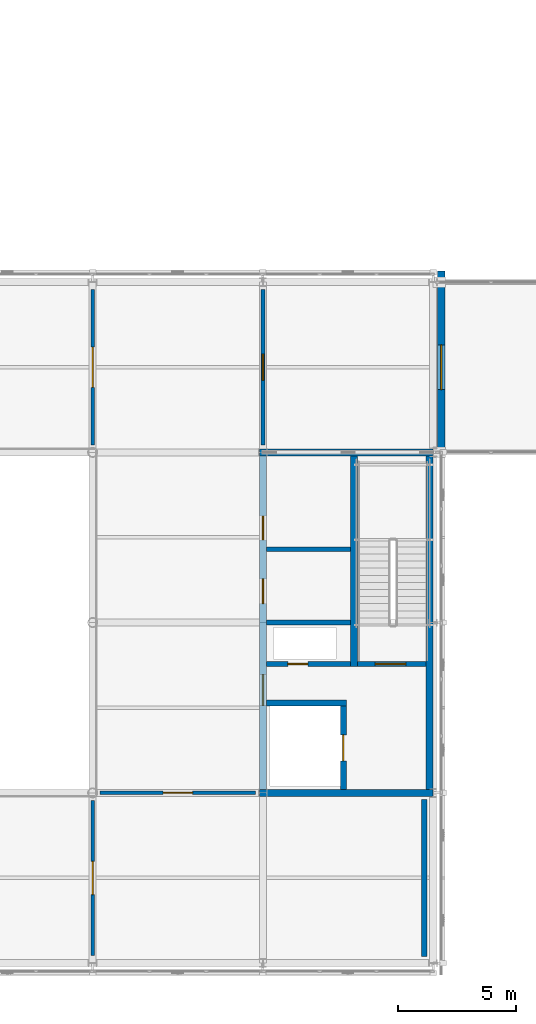
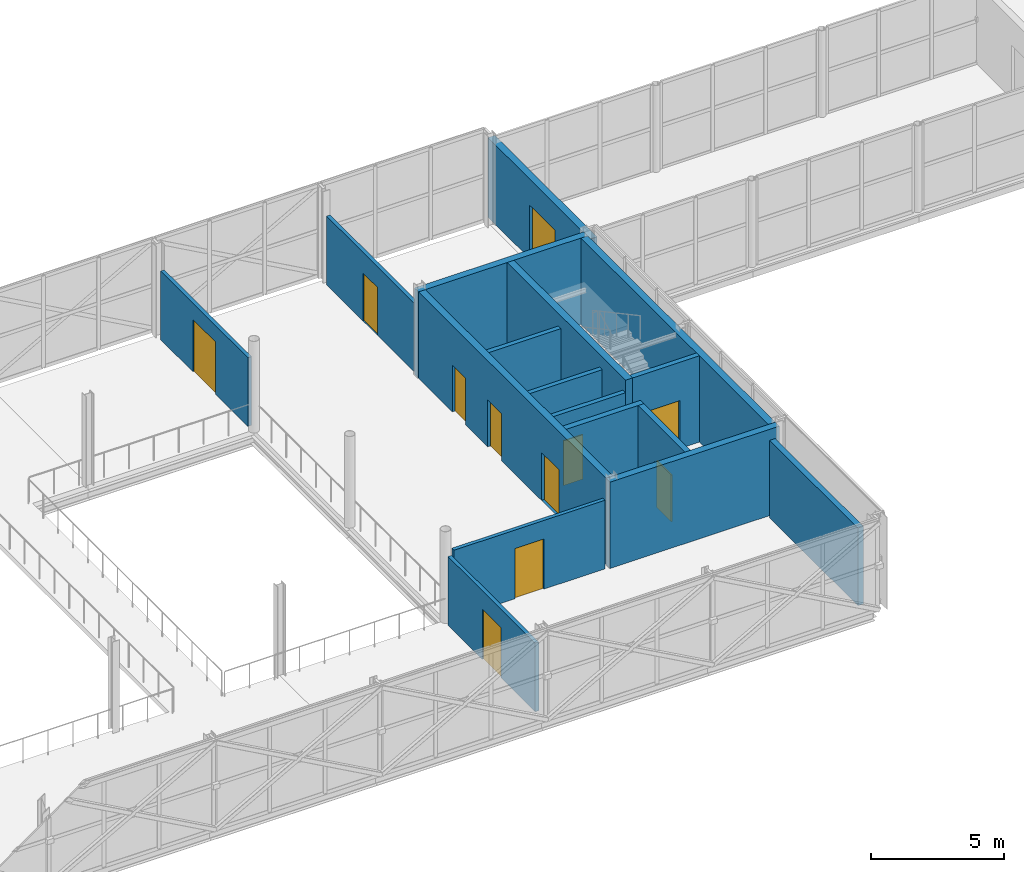
# One storey, part 104 of 126: 17 walls, 11 doors, 11 openings.
"""IFC4 building model written with IfcOpenShell, lengths in metres."""

import ifcopenshell
import ifcopenshell.guid

model = None  # the IFC model being written
_history = None  # IfcOwnerHistory: only IFC2X3 demands one
_inside = {}  # id of a spatial element -> (the spatial element, [elements in it])
_under = {}  # id of a project, library or spatial element -> (it, [spatial elements below it])
_declared = {}  # id of a project -> (the project, [libraries it declares])
_typed = {}  # id of a type object -> (the type object, [elements of that type])
_made_of = {}  # id of a material, layer set ... -> (it, [elements and type objects made of it])


def new_model(schema):
    """Start an empty IFC model of exactly this schema.

    Asked for "IFC4X3", IfcOpenShell would pick the latest addendum, in which some entities
    have other attributes; the version numbers below select the first issue.
    IFC2X3 requires an IfcOwnerHistory on every rooted entity: one is made here for all.
    """
    global model, _history
    if schema == "IFC4X3":
        model = ifcopenshell.file(schema_version=(4, 3, 0, 0))
    else:
        model = ifcopenshell.file(schema=schema)
    _inside.clear()
    _under.clear()
    _declared.clear()
    _typed.clear()
    _made_of.clear()
    _history = None
    if model.schema == "IFC2X3":
        org = make("IfcOrganization", Name="unknown")
        user = make(
            "IfcPersonAndOrganization",
            ThePerson=make("IfcPerson", FamilyName="unknown"),
            TheOrganization=org,
        )
        app = make(
            "IfcApplication",
            ApplicationDeveloper=org,
            Version="unknown",
            ApplicationFullName="unknown",
            ApplicationIdentifier="unknown",
        )
        _history = make(
            "IfcOwnerHistory",
            OwningUser=user,
            OwningApplication=app,
            ChangeAction="ADDED",
            CreationDate=0,
        )
    return model


def make(cls, **values):
    """One entity of the class cls with the attributes given. An attribute that is None is left unset."""
    return model.create_entity(
        cls, **{name: value for name, value in values.items() if value is not None}
    )


def rooted(cls, **values):
    """An entity with a GlobalId (a new one), such as an element, a storey or a relation."""
    return make(cls, GlobalId=ifcopenshell.guid.new(), OwnerHistory=_history, **values)


def si_unit(unit_type, name, prefix=None):
    """IfcSIUnit, for example si_unit("LENGTHUNIT", "METRE", prefix="MILLI")."""
    return make("IfcSIUnit", UnitType=unit_type, Prefix=prefix, Name=name)


def assignment(units):
    """IfcUnitAssignment: the units of a project."""
    return None if units is None else make("IfcUnitAssignment", Units=units)


def point(xyz):
    """IfcCartesianPoint."""
    return None if xyz is None else make("IfcCartesianPoint", Coordinates=xyz)


def direction(xyz):
    """IfcDirection."""
    return None if xyz is None else make("IfcDirection", DirectionRatios=xyz)


def frame(location, z_axis=None, x_axis=None):
    """IfcAxis2Placement3D, a coordinate frame: its origin and axes. An axis left out is left unset."""
    return make(
        "IfcAxis2Placement3D",
        Location=point(location),
        Axis=direction(z_axis),
        RefDirection=direction(x_axis),
    )


def frame_2d(location, x_axis=None):
    """IfcAxis2Placement2D, a coordinate frame in the plane: its origin and x axis."""
    return make(
        "IfcAxis2Placement2D", Location=point(location), RefDirection=direction(x_axis)
    )


def origin():
    """The frame at (0, 0, 0) with its axes left unset."""
    return frame((0.0, 0.0, 0.0))


def place(relative_to, where):
    """IfcLocalPlacement: puts the frame where relative to a parent placement (None: the world)."""
    return make(
        "IfcLocalPlacement", PlacementRelTo=relative_to, RelativePlacement=where
    )


def context(
    kind, dimensions, precision=None, world=None, true_north=None, identifier=None
):
    """IfcGeometricRepresentationContext, for example the 3D "Model" context."""
    return make(
        "IfcGeometricRepresentationContext",
        ContextIdentifier=identifier,
        ContextType=kind,
        CoordinateSpaceDimension=dimensions,
        Precision=precision,
        WorldCoordinateSystem=world,
        TrueNorth=true_north,
    )


def subcontext(parent, identifier, kind, view, scale=None):
    """IfcGeometricRepresentationSubContext, for example "Body" below "Model"."""
    return make(
        "IfcGeometricRepresentationSubContext",
        ContextIdentifier=identifier,
        ContextType=kind,
        ParentContext=parent,
        TargetScale=scale,
        TargetView=view,
    )


def project(units=None, contexts=None):
    """IfcProject with its units and contexts."""
    return rooted(
        "IfcProject",
        Name="project",
        RepresentationContexts=contexts,
        UnitsInContext=assignment(units),
    )


def spatial(cls, under=None, at=None, **own):
    """A site, building, storey or space (cls), placed at a placement, below another one or the project."""
    s = rooted(cls, ObjectPlacement=at, **own)
    if under is not None:
        _under.setdefault(under.id(), (under, []))[1].append(s)
    return s


def profile(cls, at=None, kind="AREA", **sizes):
    """A parametric profile (cls). Its sizes go by their IFC names, for example OverallWidth=200.0."""
    return make(cls, ProfileType=kind, Position=at, **sizes)


def rectangle(**sizes):
    """IfcRectangleProfileDef."""
    return profile("IfcRectangleProfileDef", **sizes)


def extrude(swept, where, along, depth):
    """IfcExtrudedAreaSolid: the profile swept, set in the frame where, extruded along a direction by depth."""
    return make(
        "IfcExtrudedAreaSolid",
        SweptArea=swept,
        Position=where,
        ExtrudedDirection=direction(along),
        Depth=depth,
    )


def shape(context_of_items, identifier, shape_type, items):
    """IfcShapeRepresentation: the items that make up one representation, for example the "Body"."""
    return make(
        "IfcShapeRepresentation",
        ContextOfItems=context_of_items,
        RepresentationIdentifier=identifier,
        RepresentationType=shape_type,
        Items=items,
    )


def material(Name=None, Category=None):
    """IfcMaterial."""
    return make("IfcMaterial", Name=Name, Category=Category)


def layer(
    of_material, thickness, ventilated=None, Name=None, Category=None, Priority=None
):
    """IfcMaterialLayer: one layer of a wall or slab, of a material (None: an air gap)."""
    return make(
        "IfcMaterialLayer",
        Material=of_material,
        LayerThickness=thickness,
        IsVentilated=ventilated,
        Name=Name,
        Category=Category,
        Priority=Priority,
    )


def layer_set(layers, Name=None):
    """IfcMaterialLayerSet."""
    return make("IfcMaterialLayerSet", MaterialLayers=layers, LayerSetName=Name)


def made_of(thing, what):
    """Note that an element or type object is made of a material, layer set ...; save() writes the relation."""
    if what is not None:
        _made_of.setdefault(what.id(), (what, []))[1].append(thing)
    return thing


def type_object(cls, material=None, **own):
    """A type object (cls), such as IfcWallType, which elements share."""
    return made_of(rooted(cls, **own), material)


def element(
    cls,
    number,
    at=None,
    inside=None,
    cuts=None,
    type_object=None,
    material=None,
    context=None,
    identifier="Body",
    shape_type=None,
    held_by="IfcProductDefinitionShape",
    body=None,
    shapes=None,
    **own,
):
    """One element of the class cls, such as IfcWall. Its Tag is "e" and its number.

    at: its placement. inside: the storey or other place that contains it. cuts: it is an
    opening in that element (IfcRelVoidsElement). A single representation is given by context,
    identifier, shape_type and body (its items); several are given by shapes. held_by: the class
    of the entity that holds the representations. save() writes the other relations.
    """
    e = rooted(cls, Tag="e%d" % number, ObjectPlacement=at, **own)
    if body is not None:
        shapes = [shape(context, identifier, shape_type, body)]
    if shapes is not None:
        e.Representation = make(held_by, Representations=shapes)
    if inside is not None:
        _inside.setdefault(inside.id(), (inside, []))[1].append(e)
    if cuts is not None:
        rooted(
            "IfcRelVoidsElement", RelatingBuildingElement=cuts, RelatedOpeningElement=e
        )
    if type_object is not None:
        _typed.setdefault(type_object.id(), (type_object, []))[1].append(e)
    return made_of(e, material)


def fill(opening, filler):
    """IfcRelFillsElement: the door or window that sits in an opening."""
    return rooted(
        "IfcRelFillsElement",
        RelatingOpeningElement=opening,
        RelatedBuildingElement=filler,
    )


def aggregate(whole, parts):
    """IfcRelAggregates: a whole, such as a stair, and the parts it consists of."""
    return rooted("IfcRelAggregates", RelatingObject=whole, RelatedObjects=parts)


def save(model, path):
    """Write the relations noted so far, then the file.

    IfcRelAggregates (storeys below a building ...), IfcRelContainedInSpatialStructure (elements
    in a storey), IfcRelDefinesByType, IfcRelAssociatesMaterial and IfcRelDeclares: one each for
    every whole, place, type object, material and project.
    """
    for whole, parts in _under.values():
        aggregate(whole, parts)
    for where, things in _inside.values():
        rooted(
            "IfcRelContainedInSpatialStructure",
            RelatedElements=things,
            RelatingStructure=where,
        )
    for kind, things in _typed.values():
        rooted("IfcRelDefinesByType", RelatedObjects=things, RelatingType=kind)
    for what, things in _made_of.values():
        rooted("IfcRelAssociatesMaterial", RelatedObjects=things, RelatingMaterial=what)
    for by, libraries in _declared.values():
        rooted("IfcRelDeclares", RelatingContext=by, RelatedDefinitions=libraries)
    model.write(path)


model = new_model("IFC4")

# Units and contexts
model_context = context("Model", 3, precision=1e-05, world=origin(), true_north=direction((0.0, 1.0)))
body_context = subcontext(model_context, "Body", "Model", "MODEL_VIEW")
ifc_project = project(units=[si_unit("LENGTHUNIT", "METRE"), si_unit("AREAUNIT", "SQUARE_METRE"), si_unit("VOLUMEUNIT", "CUBIC_METRE"), si_unit("PLANEANGLEUNIT", "RADIAN"), si_unit("MASSUNIT", "GRAM", prefix="KILO")], contexts=[model_context])

# Site, building, storey
site_placement = place(None, origin())
site = spatial("IfcSite", under=ifc_project, at=site_placement, CompositionType="ELEMENT")
building_placement = place(site_placement, origin())
building = spatial("IfcBuilding", under=site, at=building_placement, Name="Zlatovets Crest Museum", CompositionType="ELEMENT")
storey_placement = place(building_placement, frame((0.0, 0.0, 8.699951171875)))
storey = spatial("IfcBuildingStorey", under=building, at=storey_placement, Name="L02", CompositionType="ELEMENT", Elevation=8.699951171875)

# Walls
ifc_material_1 = material(Name="Concrete C35/45", Category="concrete")
ifc_layer_1 = layer(ifc_material_1, 0.300048828125)
ifc_layer_set_1 = layer_set([ifc_layer_1], Name="Concrete C35/45")
wall_type_1 = type_object("IfcWallType", Name="CoreWall_SW01", PredefinedType="SHEAR", material=ifc_layer_set_1)
for number, where, z_axis, x_axis, name in (
    (1, (100.64990234375, 7.199951171875, 0.0), (0.0, 0.0, 1.0), (1.0, 0.0, 0.0), "Core C8 L02 South Shear Wall"),
    (2, (100.64990234375, 21.60009765625, 0.0), (0.0, 0.0, 1.0), (1.0, 0.0, 0.0), "Core C8 L02 North Shear Wall"),
):
    element("IfcWall", number, at=place(storey_placement, frame(where, z_axis=z_axis, x_axis=x_axis)), inside=storey, type_object=wall_type_1, Name=name, PredefinedType="SHEAR", context=body_context, shape_type="SweptSolid", body=[
        extrude(rectangle(XDim=7.35009765625, YDim=0.300048828125, at=frame_2d((3.675048828125, 0.0))), origin(), (0.0, 0.0, 1.0), 3.9599609375),
    ])
wall_1_placement = place(storey_placement, frame((107.85009765625, 7.35009765625, 0.0), z_axis=(0.0, 0.0, 1.0), x_axis=(0.0, 1.0, 0.0)))
element("IfcWall", 3, at=wall_1_placement, inside=storey, type_object=wall_type_1, Name="Core C8 L02 Perimeter Shear Wall", PredefinedType="SHEAR", context=body_context, shape_type="SweptSolid", body=[
    extrude(rectangle(XDim=14.099853515625, YDim=0.300048828125, at=frame_2d((7.0498046875, 0.0))), origin(), (0.0, 0.0, 1.0), 3.9599609375),
])

# Wall, openings, doors
wall_2_placement = place(storey_placement, frame((100.800048828125, 7.35009765625, 0.0), z_axis=(0.0, 0.0, 1.0), x_axis=(0.0, 1.0, 0.0)))
wall_2 = element("IfcWall", 4, at=wall_2_placement, inside=storey, type_object=wall_type_1, Name="Core C8 L02 Spine Shear Wall", PredefinedType="SHEAR", context=body_context, shape_type="SweptSolid", body=[
    extrude(rectangle(XDim=14.099853515625, YDim=0.300048828125, at=frame_2d((7.0498046875, 0.0))), origin(), (0.0, 0.0, 1.0), 3.9599609375),
])
opening_1_placement = place(wall_2_placement, frame((3.550048828125, 0.0, 0.0)))
opening_1 = element("IfcOpeningElement", 5, at=opening_1_placement, cuts=wall_2, Name="Opening FD-01", PredefinedType="OPENING", context=body_context, shape_type="SweptSolid", body=[
    extrude(rectangle(XDim=1.300048828125, YDim=2.199951171875, at=frame_2d((0.64990234375, 1.10009765625))), frame((0.0, 0.16015625, 0.0), z_axis=(0.0, -1.0, 0.0), x_axis=(1.0, 0.0, 0.0)), (0.0, 0.0, 1.0), 0.320068359375),
])
opening_2_placement = place(wall_2_placement, frame((7.85009765625, 0.0, 0.0)))
opening_2 = element("IfcOpeningElement", 6, at=opening_2_placement, cuts=wall_2, Name="Opening ID-02", PredefinedType="OPENING", context=body_context, shape_type="SweptSolid", body=[
    extrude(rectangle(XDim=1.050048828125, YDim=2.14990234375, at=frame_2d((0.52490234375, 1.074951171875))), frame((0.0, 0.16015625, 0.0), z_axis=(0.0, -1.0, 0.0), x_axis=(1.0, 0.0, 0.0)), (0.0, 0.0, 1.0), 0.320068359375),
])
opening_3_placement = place(wall_2_placement, frame((10.550048828125, 0.0, 0.0)))
opening_3 = element("IfcOpeningElement", 7, at=opening_3_placement, cuts=wall_2, Name="Opening ID-01", PredefinedType="OPENING", context=body_context, shape_type="SweptSolid", body=[
    extrude(rectangle(XDim=1.0, YDim=2.14990234375, at=frame_2d((0.5, 1.074951171875))), frame((0.0, 0.16015625, 0.0), z_axis=(0.0, -1.0, 0.0), x_axis=(1.0, 0.0, 0.0)), (0.0, 0.0, 1.0), 0.320068359375),
])
ifc_material_2 = material(Name="Smoke-sealed steel fire door", Category="steel")
door_type_1 = type_object("IfcDoorType", Name="IntDoor_FD-01", OperationType="NOTDEFINED", PredefinedType="DOOR", material=ifc_material_2)
door_1_placement = place(opening_1_placement, origin())
door_1 = element("IfcDoor", 8, at=door_1_placement, inside=storey, type_object=door_type_1, Name="CDOOR-C8-L02-LOB Core C8 L02 Lobby Fire Door", OperationType="SINGLE_SWING_RIGHT", OverallHeight=2.199951171875, OverallWidth=1.300048828125, PredefinedType="DOOR", context=body_context, shape_type="SweptSolid", body=[
    extrude(rectangle(XDim=1.300048828125, YDim=2.199951171875, at=frame_2d((0.64990234375, 1.10009765625))), frame((0.0, 0.02490234375, 0.0), z_axis=(0.0, -1.0, 0.0), x_axis=(1.0, 0.0, 0.0)), (0.0, 0.0, 1.0), 0.050048828125),
])
fill(opening_1, door_1)
ifc_material_3 = material(Name="Solid oak museum room door")
door_type_2 = type_object("IfcDoorType", Name="IntDoor_ID-01", OperationType="NOTDEFINED", PredefinedType="DOOR", material=ifc_material_3)
door_2_placement = place(opening_3_placement, origin())
door_2 = element("IfcDoor", 9, at=door_2_placement, inside=storey, type_object=door_type_2, Name="CDOOR-C8-L02-WC Core C8 L02 Public Restroom Door", OperationType="SINGLE_SWING_RIGHT", OverallHeight=2.14990234375, OverallWidth=1.0, PredefinedType="DOOR", context=body_context, shape_type="SweptSolid", body=[
    extrude(rectangle(XDim=1.0, YDim=2.14990234375, at=frame_2d((0.5, 1.074951171875))), frame((0.0, 0.02490234375, 0.0), z_axis=(0.0, -1.0, 0.0), x_axis=(1.0, 0.0, 0.0)), (0.0, 0.0, 1.0), 0.050048828125),
])
fill(opening_3, door_2)
ifc_material_4 = material(Name="Accessible sanitary room door")
door_type_3 = type_object("IfcDoorType", Name="IntDoor_ID-02", OperationType="NOTDEFINED", PredefinedType="DOOR", material=ifc_material_4)
door_3_placement = place(opening_2_placement, origin())
door_3 = element("IfcDoor", 10, at=door_3_placement, inside=storey, type_object=door_type_3, Name="CDOOR-C8-L02-AWC Core C8 L02 Accessible WC Door", OperationType="SINGLE_SWING_LEFT", OverallHeight=2.14990234375, OverallWidth=1.050048828125, PredefinedType="DOOR", context=body_context, shape_type="SweptSolid", body=[
    extrude(rectangle(XDim=1.050048828125, YDim=2.14990234375, at=frame_2d((0.52490234375, 1.074951171875))), frame((0.0, 0.02490234375, 0.0), z_axis=(0.0, -1.0, 0.0), x_axis=(1.0, 0.0, 0.0)), (0.0, 0.0, 1.0), 0.050048828125),
])
fill(opening_2, door_3)

# Wall
wall_3_placement = place(storey_placement, frame((104.64990234375, 12.5400390625, 0.0), z_axis=(0.0, 0.0, 1.0), x_axis=(0.0, 1.0, 0.0)))
element("IfcWall", 11, at=wall_3_placement, inside=storey, type_object=wall_type_1, Name="Core C8 L02 Stair Divider Wall", PredefinedType="SHEAR", context=body_context, shape_type="SweptSolid", body=[
    extrude(rectangle(XDim=8.909912109375, YDim=0.300048828125, at=frame_2d((4.455078125, 0.0))), origin(), (0.0, 0.0, 1.0), 3.9599609375),
])

# Wall, opening, door
ifc_layer_2 = layer(ifc_material_1, 0.25)
ifc_layer_set_2 = layer_set([ifc_layer_2], Name="Concrete C35/45")
wall_type_2 = type_object("IfcWallType", Name="CoreWall_SW02", PredefinedType="SHEAR", material=ifc_layer_set_2)
wall_4_placement = place(storey_placement, frame((104.199951171875, 7.35009765625, 0.0), z_axis=(0.0, 0.0, 1.0), x_axis=(0.0, 1.0, 0.0)))
wall_4 = element("IfcWall", 12, at=wall_4_placement, inside=storey, type_object=wall_type_2, Name="Core C8 L02 Lift Shaft Wall", PredefinedType="SHEAR", context=body_context, shape_type="SweptSolid", body=[
    extrude(rectangle(XDim=3.52490234375, YDim=0.25, at=frame_2d((1.762451171875, 0.0))), origin(), (0.0, 0.0, 1.0), 3.9599609375),
])
opening_4_placement = place(wall_4_placement, frame((1.199951171875, 0.0, 0.0)))
opening_4 = element("IfcOpeningElement", 13, at=opening_4_placement, cuts=wall_4, Name="Opening LD-01", PredefinedType="OPENING", context=body_context, shape_type="SweptSolid", body=[
    extrude(rectangle(XDim=1.10009765625, YDim=2.14990234375, at=frame_2d((0.550048828125, 1.074951171875))), frame((0.0, 0.135009765625, 0.0), z_axis=(0.0, -1.0, 0.0), x_axis=(1.0, 0.0, 0.0)), (0.0, 0.0, 1.0), 0.27001953125),
])
ifc_material_5 = material(Name="Stainless-bronze sliding lift landing door")
door_type_4 = type_object("IfcDoorType", Name="IntDoor_LD-01", OperationType="SLIDING_TO_LEFT", PredefinedType="DOOR", material=ifc_material_5)
door_4_placement = place(opening_4_placement, origin())
door_4 = element("IfcDoor", 14, at=door_4_placement, inside=storey, type_object=door_type_4, Name="LDOOR-PL5-L02 Lift PL5 L02 Sliding Landing Door", OperationType="SLIDING_TO_LEFT", OverallHeight=2.14990234375, OverallWidth=1.10009765625, PredefinedType="DOOR", context=body_context, shape_type="SweptSolid", body=[
    extrude(rectangle(XDim=1.10009765625, YDim=2.14990234375, at=frame_2d((0.550048828125, 1.074951171875))), frame((0.0, 0.02490234375, 0.0), z_axis=(0.0, -1.0, 0.0), x_axis=(1.0, 0.0, 0.0)), (0.0, 0.0, 1.0), 0.050048828125),
])
fill(opening_4, door_4)

wall_5_placement = place(storey_placement, frame((104.800048828125, 12.64990234375, 0.0), z_axis=(0.0, 0.0, 1.0), x_axis=(1.0, 0.0, 0.0)))
wall_5 = element("IfcWall", 15, at=wall_5_placement, inside=storey, type_object=wall_type_2, Name="Core C8 L02 Stairwell Fire Wall", PredefinedType="SHEAR", context=body_context, shape_type="SweptSolid", body=[
    extrude(rectangle(XDim=2.89990234375, YDim=0.219970703125, at=frame_2d((1.449951171875, 0.0))), origin(), (0.0, 0.0, 1.0), 3.9599609375),
])
opening_5_placement = place(wall_5_placement, frame((0.75, 0.0, 0.0)))
opening_5 = element("IfcOpeningElement", 16, at=opening_5_placement, cuts=wall_5, Name="Opening FD-01", PredefinedType="OPENING", context=body_context, shape_type="SweptSolid", body=[
    extrude(rectangle(XDim=1.300048828125, YDim=2.199951171875, at=frame_2d((0.64990234375, 1.10009765625))), frame((0.0, 0.1201171875, 0.0), z_axis=(0.0, -1.0, 0.0), x_axis=(1.0, 0.0, 0.0)), (0.0, 0.0, 1.0), 0.239990234375),
])
door_5_placement = place(opening_5_placement, origin())
door_5 = element("IfcDoor", 17, at=door_5_placement, inside=storey, type_object=door_type_1, Name="SDOOR-ST9-L02 Stair ST9 L02 Fire Door", OperationType="SINGLE_SWING_LEFT", OverallHeight=2.199951171875, OverallWidth=1.300048828125, PredefinedType="DOOR", context=body_context, shape_type="SweptSolid", body=[
    extrude(rectangle(XDim=1.300048828125, YDim=2.199951171875, at=frame_2d((0.64990234375, 1.10009765625))), frame((0.0, 0.02490234375, 0.0), z_axis=(0.0, -1.0, 0.0), x_axis=(1.0, 0.0, 0.0)), (0.0, 0.0, 1.0), 0.050048828125),
])
fill(opening_5, door_5)

# Walls
wall_6_placement = place(storey_placement, frame((100.949951171875, 11.0, 0.0), z_axis=(0.0, 0.0, 1.0), x_axis=(1.0, 0.0, 0.0)))
element("IfcWall", 18, at=wall_6_placement, inside=storey, type_object=wall_type_2, Name="Core C8 L02 Lift Shaft North Shear Wall", PredefinedType="SHEAR", context=body_context, shape_type="SweptSolid", body=[
    extrude(rectangle(XDim=3.375, YDim=0.25, at=frame_2d((1.6875, 0.0))), origin(), (0.0, 0.0, 1.0), 3.9599609375),
])
ifc_material_6 = material(Name="Insulated gallery conservation liner wall", Category="concrete")
ifc_layer_3 = layer(ifc_material_6, 0.300048828125)
ifc_layer_set_3 = layer_set([ifc_layer_3], Name="Insulated gallery conservation liner wall")
wall_type_3 = type_object("IfcWallType", Name="ExtWall_EW-02", PredefinedType="STANDARD", material=ifc_layer_set_3)
wall_7_placement = place(storey_placement, frame((107.6201171875, 0.280029296875, 0.0), z_axis=(0.0, 0.0, 1.0), x_axis=(0.0, 1.0, 0.0)))
element("IfcWall", 19, at=wall_7_placement, inside=storey, type_object=wall_type_3, Name="V2 L02 Interior Conservation Gallery Liner Wall", PredefinedType="STANDARD", context=body_context, shape_type="SweptSolid", body=[
    extrude(rectangle(XDim=6.639892578125, YDim=0.239990234375, at=frame_2d((3.31982421875, 0.0))), origin(), (0.0, 0.0, 1.0), 3.56005859375),
])

# Wall, opening, door
wall_8_placement = place(storey_placement, frame((108.340087890625, 21.60009765625, 0.0), z_axis=(0.0, 0.0, 1.0), x_axis=(0.0, 1.0, 0.0)))
wall_8 = element("IfcWall", 20, at=wall_8_placement, inside=storey, type_object=wall_type_3, Name="V2 L02 Bridge Portal Wall", PredefinedType="STANDARD", context=body_context, shape_type="SweptSolid", body=[
    extrude(rectangle(XDim=7.679931640625, YDim=0.300048828125, at=frame_2d((3.83984375, 0.0))), origin(), (0.0, 0.0, 1.0), 3.650146484375),
])
opening_6_placement = place(wall_8_placement, frame((2.64990234375, 0.0, 0.0)))
opening_6 = element("IfcOpeningElement", 21, at=opening_6_placement, cuts=wall_8, Name="Opening ED-02", PredefinedType="OPENING", context=body_context, shape_type="SweptSolid", body=[
    extrude(rectangle(XDim=1.89990234375, YDim=2.449951171875, at=frame_2d((0.949951171875, 1.22509765625))), frame((0.0, 0.16015625, 0.0), z_axis=(0.0, -1.0, 0.0), x_axis=(1.0, 0.0, 0.0)), (0.0, 0.0, 1.0), 0.320068359375),
])
ifc_material_7 = material(Name="Bronze-clad insulated steel door", Category="steel")
door_type_5 = type_object("IfcDoorType", Name="ExtDoor_ED-02", OperationType="NOTDEFINED", PredefinedType="DOOR", material=ifc_material_7)
door_6_placement = place(opening_6_placement, origin())
door_6 = element("IfcDoor", 22, at=door_6_placement, inside=storey, type_object=door_type_5, Name="ED-V2-L02-BR023 V2 L02 Bridge Link Portal Door", OperationType="DOUBLE_DOOR_SINGLE_SWING", OverallHeight=2.449951171875, OverallWidth=1.89990234375, PredefinedType="DOOR", context=body_context, shape_type="SweptSolid", body=[
    extrude(rectangle(XDim=1.89990234375, YDim=2.449951171875, at=frame_2d((0.949951171875, 1.22509765625))), frame((0.0, 0.02490234375, 0.0), z_axis=(0.0, -1.0, 0.0), x_axis=(1.0, 0.0, 0.0)), (0.0, 0.0, 1.0), 0.050048828125),
])
fill(opening_6, door_6)

ifc_material_8 = material(Name="Acoustic museum gallery stud partition")
ifc_layer_4 = layer(ifc_material_8, 0.159912109375)
ifc_layer_set_4 = layer_set([ifc_layer_4], Name="Acoustic museum gallery stud partition")
wall_type_4 = type_object("IfcWallType", Name="PartWall_PT-02", PredefinedType="PARTITIONING", material=ifc_layer_set_4)
wall_9_placement = place(storey_placement, frame((93.60009765625, 0.320068359375, 0.0), z_axis=(0.0, 0.0, 1.0), x_axis=(0.0, 1.0, 0.0)))
wall_9 = element("IfcWall", 23, at=wall_9_placement, inside=storey, type_object=wall_type_4, Name="V2 L02 Interior Partition PT-02", PredefinedType="PARTITIONING", context=body_context, shape_type="SweptSolid", body=[
    extrude(rectangle(XDim=6.559814453125, YDim=0.159912109375, at=frame_2d((3.27978515625, 0.0))), origin(), (0.0, 0.0, 1.0), 3.150146484375),
])
opening_7_placement = place(wall_9_placement, frame((2.580078125, 0.0, 0.0)))
opening_7 = element("IfcOpeningElement", 24, at=opening_7_placement, cuts=wall_9, Name="Opening ID-06", PredefinedType="OPENING", context=body_context, shape_type="SweptSolid", body=[
    extrude(rectangle(XDim=1.39990234375, YDim=2.300048828125, at=frame_2d((0.699951171875, 1.14990234375))), frame((0.0, 0.08984375, 0.0), z_axis=(0.0, -1.0, 0.0), x_axis=(1.0, 0.0, 0.0)), (0.0, 0.0, 1.0), 0.179931640625),
])
ifc_material_9 = material(Name="Auditorium acoustic vestibule double door")
door_type_6 = type_object("IfcDoorType", Name="IntDoor_ID-06", OperationType="DOUBLE_DOOR_SINGLE_SWING", PredefinedType="DOOR", material=ifc_material_9)
door_7_placement = place(opening_7_placement, origin())
door_7 = element("IfcDoor", 25, at=door_7_placement, inside=storey, type_object=door_type_6, Name="IDOOR-V2-L02-0149 Decorative Metalwork Gallery to Curatorial Archive Study Door", OperationType="DOUBLE_DOOR_SINGLE_SWING", OverallHeight=2.300048828125, OverallWidth=1.39990234375, PredefinedType="DOOR", context=body_context, shape_type="SweptSolid", body=[
    extrude(rectangle(XDim=1.39990234375, YDim=2.300048828125, at=frame_2d((0.699951171875, 1.14990234375))), frame((0.0, 0.02490234375, 0.0), z_axis=(0.0, -1.0, 0.0), x_axis=(1.0, 0.0, 0.0)), (0.0, 0.0, 1.0), 0.050048828125),
])
fill(opening_7, door_7)

wall_10_placement = place(storey_placement, frame((93.60009765625, 21.919921875, 0.0), z_axis=(0.0, 0.0, 1.0), x_axis=(0.0, 1.0, 0.0)))
wall_10 = element("IfcWall", 26, at=wall_10_placement, inside=storey, type_object=wall_type_4, Name="V2 L02 Interior Partition PT-02", PredefinedType="PARTITIONING", context=body_context, shape_type="SweptSolid", body=[
    extrude(rectangle(XDim=6.56005859375, YDim=0.159912109375, at=frame_2d((3.280029296875, 0.0))), origin(), (0.0, 0.0, 1.0), 3.150146484375),
])
opening_8_placement = place(wall_10_placement, frame((2.429931640625, 0.0, 0.0)))
opening_8 = element("IfcOpeningElement", 27, at=opening_8_placement, cuts=wall_10, Name="Opening ID-08", PredefinedType="OPENING", context=body_context, shape_type="SweptSolid", body=[
    extrude(rectangle(XDim=1.699951171875, YDim=2.39990234375, at=frame_2d((0.85009765625, 1.199951171875))), frame((0.0, 0.08984375, 0.0), z_axis=(0.0, -1.0, 0.0), x_axis=(1.0, 0.0, 0.0)), (0.0, 0.0, 1.0), 0.179931640625),
])
ifc_material_10 = material(Name="Sculpture hall bronze-glazed double door")
door_type_7 = type_object("IfcDoorType", Name="IntDoor_ID-08", OperationType="DOUBLE_DOOR_SINGLE_SWING", PredefinedType="DOOR", material=ifc_material_10)
door_8_placement = place(opening_8_placement, origin())
door_8 = element("IfcDoor", 28, at=door_8_placement, inside=storey, type_object=door_type_7, Name="IDOOR-V2-L02-0151 Atrium Mezzanine Lounge to Secession Stained Glass Salon Door", OperationType="DOUBLE_DOOR_SINGLE_SWING", OverallHeight=2.39990234375, OverallWidth=1.699951171875, PredefinedType="DOOR", context=body_context, shape_type="SweptSolid", body=[
    extrude(rectangle(XDim=1.699951171875, YDim=2.39990234375, at=frame_2d((0.85009765625, 1.199951171875))), frame((0.0, 0.02490234375, 0.0), z_axis=(0.0, -1.0, 0.0), x_axis=(1.0, 0.0, 0.0)), (0.0, 0.0, 1.0), 0.050048828125),
])
fill(opening_8, door_8)

wall_11_placement = place(storey_placement, frame((100.800048828125, 21.919921875, 0.0), z_axis=(0.0, 0.0, 1.0), x_axis=(0.0, 1.0, 0.0)))
wall_11 = element("IfcWall", 29, at=wall_11_placement, inside=storey, type_object=wall_type_4, Name="V2 L02 Interior Partition PT-02", PredefinedType="PARTITIONING", context=body_context, shape_type="SweptSolid", body=[
    extrude(rectangle(XDim=6.56005859375, YDim=0.159912109375, at=frame_2d((3.280029296875, 0.0))), origin(), (0.0, 0.0, 1.0), 3.150146484375),
])
opening_9_placement = place(wall_11_placement, frame((2.72998046875, 0.0, 0.0)))
opening_9 = element("IfcOpeningElement", 30, at=opening_9_placement, cuts=wall_11, Name="Opening ID-10", PredefinedType="OPENING", context=body_context, shape_type="SweptSolid", body=[
    extrude(rectangle(XDim=1.10009765625, YDim=2.199951171875, at=frame_2d((0.550048828125, 1.10009765625))), frame((0.0, 0.08984375, 0.0), z_axis=(0.0, -1.0, 0.0), x_axis=(1.0, 0.0, 0.0)), (0.0, 0.0, 1.0), 0.179931640625),
])
ifc_material_11 = material(Name="Seminar studio acoustic door")
door_type_8 = type_object("IfcDoorType", Name="IntDoor_ID-10", OperationType="NOTDEFINED", PredefinedType="DOOR", material=ifc_material_11)
door_9_placement = place(opening_9_placement, origin())
door_9 = element("IfcDoor", 31, at=door_9_placement, inside=storey, type_object=door_type_8, Name="IDOOR-V2-L02-0153 Secession Stained Glass Salon to East Court Cabinet L02 Door", OperationType="SINGLE_SWING_RIGHT", OverallHeight=2.199951171875, OverallWidth=1.10009765625, PredefinedType="DOOR", context=body_context, shape_type="SweptSolid", body=[
    extrude(rectangle(XDim=1.10009765625, YDim=2.199951171875, at=frame_2d((0.550048828125, 1.10009765625))), frame((0.0, 0.02490234375, 0.0), z_axis=(0.0, -1.0, 0.0), x_axis=(1.0, 0.0, 0.0)), (0.0, 0.0, 1.0), 0.050048828125),
])
fill(opening_9, door_9)

wall_12_placement = place(storey_placement, frame((93.919921875, 7.199951171875, 0.0), z_axis=(0.0, 0.0, 1.0), x_axis=(1.0, 0.0, 0.0)))
wall_12 = element("IfcWall", 32, at=wall_12_placement, inside=storey, type_object=wall_type_4, Name="V2 L02 Interior Partition PT-02", PredefinedType="PARTITIONING", context=body_context, shape_type="SweptSolid", body=[
    extrude(rectangle(XDim=6.56005859375, YDim=0.159912109375, at=frame_2d((3.280029296875, 0.0))), origin(), (0.0, 0.0, 1.0), 3.150146484375),
])
opening_10_placement = place(wall_12_placement, frame((2.655029296875, 0.0, 0.0)))
opening_10 = element("IfcOpeningElement", 33, at=opening_10_placement, cuts=wall_12, Name="Opening ID-11", PredefinedType="OPENING", context=body_context, shape_type="SweptSolid", body=[
    extrude(rectangle(XDim=1.25, YDim=2.300048828125, at=frame_2d((0.625, 1.14990234375))), frame((0.0, 0.08984375, 0.0), z_axis=(0.0, -1.0, 0.0), x_axis=(1.0, 0.0, 0.0)), (0.0, 0.0, 1.0), 0.179931640625),
])
ifc_material_12 = material(Name="Conservation lab wide leaf door")
door_type_9 = type_object("IfcDoorType", Name="IntDoor_ID-11", OperationType="NOTDEFINED", PredefinedType="DOOR", material=ifc_material_12)
door_10_placement = place(opening_10_placement, origin())
door_10 = element("IfcDoor", 34, at=door_10_placement, inside=storey, type_object=door_type_9, Name="IDOOR-V2-L02-0154 Secession Stained Glass Salon to Curatorial Archive Study Door", OperationType="SINGLE_SWING_LEFT", OverallHeight=2.300048828125, OverallWidth=1.25, PredefinedType="DOOR", context=body_context, shape_type="SweptSolid", body=[
    extrude(rectangle(XDim=1.25, YDim=2.300048828125, at=frame_2d((0.625, 1.14990234375))), frame((0.0, 0.02490234375, 0.0), z_axis=(0.0, -1.0, 0.0), x_axis=(1.0, 0.0, 0.0)), (0.0, 0.0, 1.0), 0.050048828125),
])
fill(opening_10, door_10)

ifc_material_13 = material(Name="Sanitary core acoustic service wall")
ifc_layer_5 = layer(ifc_material_13, 0.219970703125)
ifc_layer_set_5 = layer_set([ifc_layer_5], Name="Sanitary core acoustic service wall")
wall_type_5 = type_object("IfcWallType", Name="PartWall_PT-04", PredefinedType="PLUMBINGWALL", material=ifc_layer_set_5)
wall_13_placement = place(storey_placement, frame((100.949951171875, 12.64990234375, 0.0), z_axis=(0.0, 0.0, 1.0), x_axis=(1.0, 0.0, 0.0)))
wall_13 = element("IfcWall", 35, at=wall_13_placement, inside=storey, type_object=wall_type_5, Name="Core C8 L02 Riser Lobby Wall", PredefinedType="PLUMBINGWALL", context=body_context, shape_type="SweptSolid", body=[
    extrude(rectangle(XDim=3.550048828125, YDim=0.199951171875, at=frame_2d((1.77490234375, 0.0))), origin(), (0.0, 0.0, 1.0), 3.380126953125),
])
opening_11_placement = place(wall_13_placement, frame((0.89990234375, 0.0, 0.0)))
opening_11 = element("IfcOpeningElement", 36, at=opening_11_placement, cuts=wall_13, Name="Opening FD-03", PredefinedType="OPENING", context=body_context, shape_type="SweptSolid", body=[
    extrude(rectangle(XDim=0.85009765625, YDim=2.050048828125, at=frame_2d((0.425048828125, 1.02490234375))), frame((0.0, 0.10986328125, 0.0), z_axis=(0.0, -1.0, 0.0), x_axis=(1.0, 0.0, 0.0)), (0.0, 0.0, 1.0), 0.219970703125),
])
ifc_material_14 = material(Name="Steel riser shaft access fire door", Category="steel")
door_type_10 = type_object("IfcDoorType", Name="IntDoor_FD-03", OperationType="NOTDEFINED", PredefinedType="TRAPDOOR", material=ifc_material_14)
door_11_placement = place(opening_11_placement, origin())
door_11 = element("IfcDoor", 37, at=door_11_placement, inside=storey, type_object=door_type_10, Name="CDOOR-C8-L02-RIS Core C8 L02 Riser Access Door", OperationType="SINGLE_SWING_RIGHT", OverallHeight=2.050048828125, OverallWidth=0.85009765625, PredefinedType="TRAPDOOR", context=body_context, shape_type="SweptSolid", body=[
    extrude(rectangle(XDim=0.85009765625, YDim=2.050048828125, at=frame_2d((0.425048828125, 1.02490234375))), frame((0.0, 0.02490234375, 0.0), z_axis=(0.0, -1.0, 0.0), x_axis=(1.0, 0.0, 0.0)), (0.0, 0.0, 1.0), 0.050048828125),
])
fill(opening_11, door_11)

# Walls
for number, where, z_axis, x_axis, name in (
    (38, (100.949951171875, 14.39990234375, 0.0), (0.0, 0.0, 1.0), (1.0, 0.0, 0.0), "Core C8 L02 Sanitary Divider"),
    (39, (100.949951171875, 17.5, 0.0), (0.0, 0.0, 1.0), (1.0, 0.0, 0.0), "Core C8 L02 Sanitary Divider"),
):
    element("IfcWall", number, at=place(storey_placement, frame(where, z_axis=z_axis, x_axis=x_axis)), inside=storey, type_object=wall_type_5, Name=name, PredefinedType="PLUMBINGWALL", context=body_context, shape_type="SweptSolid", body=[
        extrude(rectangle(XDim=3.550048828125, YDim=0.199951171875, at=frame_2d((1.77490234375, 0.0))), origin(), (0.0, 0.0, 1.0), 3.380126953125),
    ])

save(model, "model.ifc")
